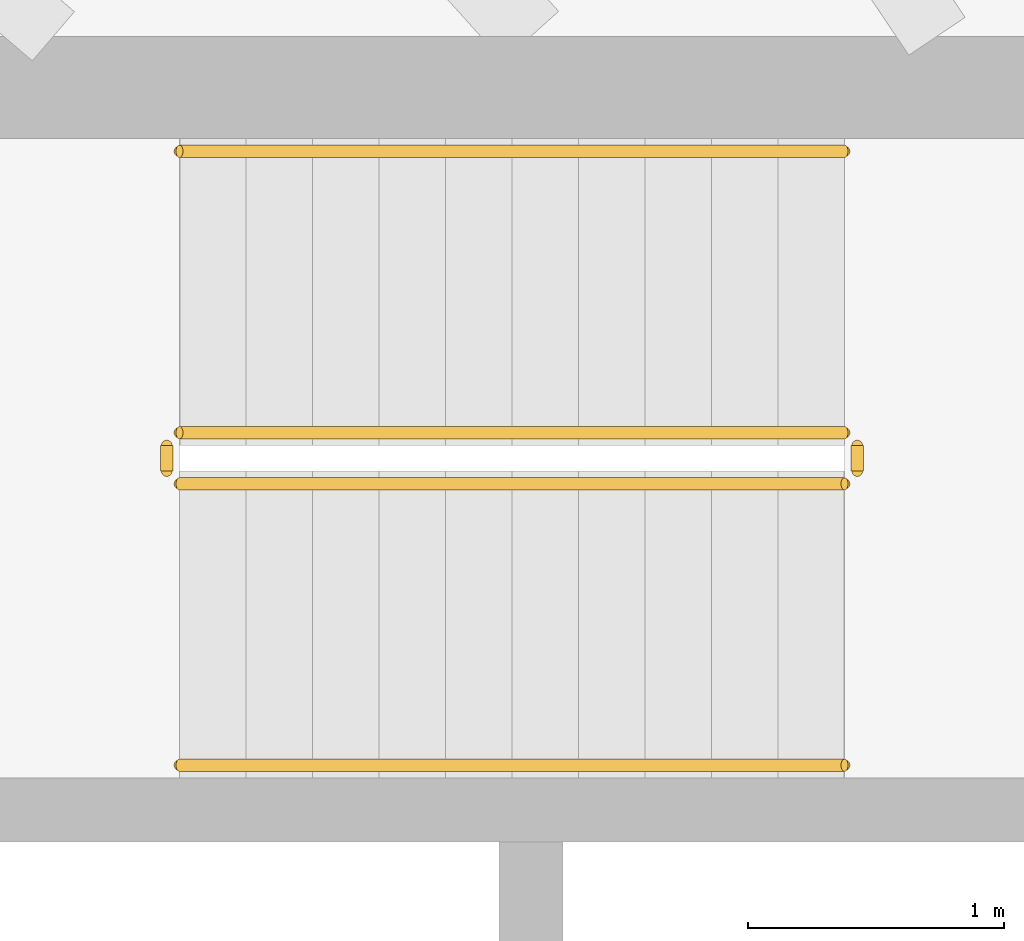
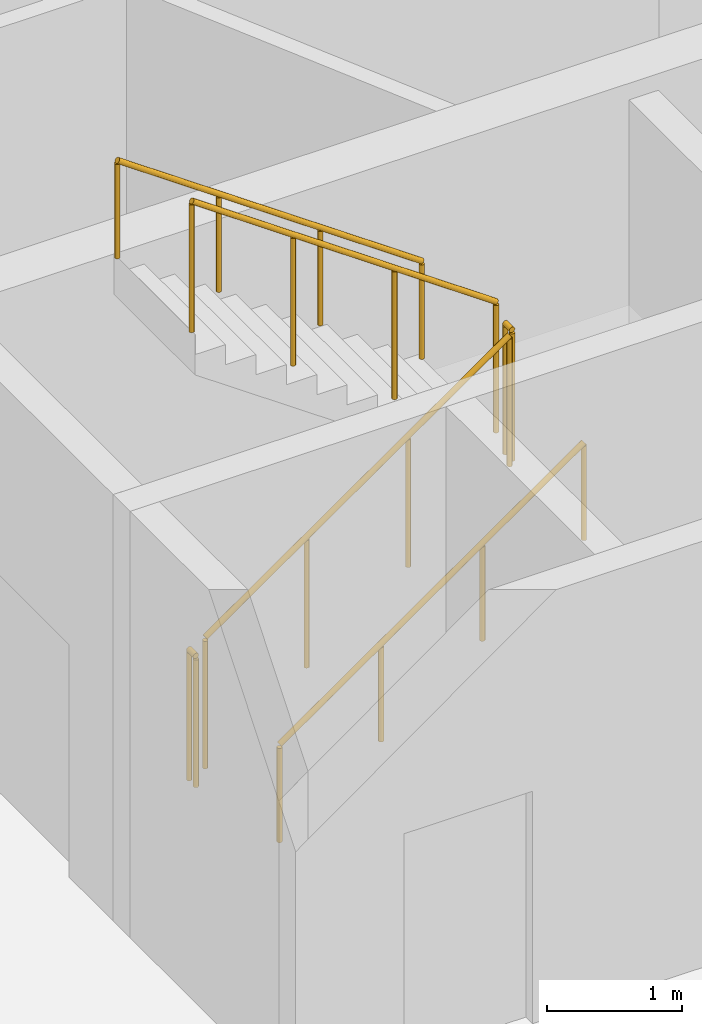
# One storey, part 15 of 18: 6 railings.
"""IFC4 building model written with IfcOpenShell, lengths in metres."""

from ifc_helpers import new_model, si_unit, direction, frame, origin, origin_2d, place, context, subcontext, project, spatial, circle, extrude, material, type_object, element, save


model = new_model("IFC4")

# Units and contexts
model_context = context("Model", 3, precision=1e-05, world=origin(), true_north=direction((0.0, 1.0)))
body_context = subcontext(model_context, "Body", "Model", "MODEL_VIEW")
ifc_project = project(units=[si_unit("LENGTHUNIT", "METRE"), si_unit("AREAUNIT", "SQUARE_METRE"), si_unit("VOLUMEUNIT", "CUBIC_METRE"), si_unit("PLANEANGLEUNIT", "RADIAN"), si_unit("MASSUNIT", "GRAM", prefix="KILO")], contexts=[model_context])

# Site, building, storey
site_placement = place(None, origin())
site = spatial("IfcSite", under=ifc_project, at=site_placement, CompositionType="ELEMENT")
building_placement = place(site_placement, origin())
building = spatial("IfcBuilding", under=site, at=building_placement, Name="Sahrelin Media Tower", CompositionType="ELEMENT")
storey_placement = place(building_placement, frame((0.0, 0.0, 320.39990234375)))
storey = spatial("IfcBuildingStorey", under=building, at=storey_placement, Name="L71", CompositionType="ELEMENT", Elevation=320.39990234375)

# Railings
ifc_material = material(Name="Steel S355", Category="steel")
railing_type_1 = type_object("IfcRailingType", Name="Stair guard 1200", PredefinedType="GUARDRAIL", material=ifc_material)
railing_1_placement = place(storey_placement, frame((-7.675048828125, 5.25, 0.181884765625)))
element("IfcRailing", 1, at=railing_1_placement, inside=storey, type_object=railing_type_1, Name="L71 ST1 stair guard 1", PredefinedType="GUARDRAIL", context=body_context, shape_type="SweptSolid", body=[
    extrude(circle(Radius=0.02392578125, at=origin_2d()), frame((0.0, 0.0, 1.17578125), z_axis=(0.819521025635, 0.0, 0.573049115296), x_axis=(0.0, 1.0, 0.0)), (0.0, 0.0, 1.0), 3.172607421875),
    extrude(circle(Radius=0.02099609375, at=origin_2d()), origin(), (0.0, 0.0, 1.0), 1.15185546875),
    extrude(circle(Radius=0.02099609375, at=origin_2d()), frame((0.86669921875, 0.0, 0.60595703125)), (0.0, 0.0, 1.0), 1.15185546875),
    extrude(circle(Radius=0.02099609375, at=origin_2d()), frame((1.7333984375, 0.0, 1.212158203125)), (0.0, 0.0, 1.0), 1.15185546875),
    extrude(circle(Radius=0.02099609375, at=origin_2d()), frame((2.60009765625, 0.0, 1.818115234375)), (0.0, 0.0, 1.0), 1.15185546875),
])
railing_2_placement = place(storey_placement, frame((-5.02490234375, 5.300048828125, 2.0)))
element("IfcRailing", 2, at=railing_2_placement, inside=storey, type_object=railing_type_1, Name="L71 ST1 stair guard 2", PredefinedType="GUARDRAIL", context=body_context, shape_type="SweptSolid", body=[
    extrude(circle(Radius=0.02392578125, at=origin_2d()), frame((0.0, 0.0, 1.17578125), z_axis=(0.0, 1.0, 0.0), x_axis=(-1.0, 0.0, 0.0)), (0.0, 0.0, 1.0), 0.099853515625),
    extrude(circle(Radius=0.02099609375, at=origin_2d()), origin(), (0.0, 0.0, 1.0), 1.15185546875),
    extrude(circle(Radius=0.02099609375, at=origin_2d()), frame((0.0, 0.099853515625, 0.0)), (0.0, 0.0, 1.0), 1.15185546875),
])
railing_3_placement = place(storey_placement, frame((-5.074951171875, 5.449951171875, 2.181884765625)))
element("IfcRailing", 3, at=railing_3_placement, inside=storey, type_object=railing_type_1, Name="L71 ST1 stair guard 3", PredefinedType="GUARDRAIL", context=body_context, shape_type="SweptSolid", body=[
    extrude(circle(Radius=0.02392578125, at=origin_2d()), frame((0.0, 0.0, 1.17578125), z_axis=(-0.819521025635, 0.0, 0.573049115296), x_axis=(0.0, -1.0, 0.0)), (0.0, 0.0, 1.0), 3.172607421875),
    extrude(circle(Radius=0.02099609375, at=origin_2d()), origin(), (0.0, 0.0, 1.0), 1.15185546875),
    extrude(circle(Radius=0.02099609375, at=origin_2d()), frame((-0.86669921875, 0.0, 0.60595703125)), (0.0, 0.0, 1.0), 1.15185546875),
    extrude(circle(Radius=0.02099609375, at=origin_2d()), frame((-1.7333984375, 0.0, 1.212158203125)), (0.0, 0.0, 1.0), 1.15185546875),
    extrude(circle(Radius=0.02099609375, at=origin_2d()), frame((-2.60009765625, 0.0, 1.818115234375)), (0.0, 0.0, 1.0), 1.15185546875),
])
railing_4_placement = place(storey_placement, frame((-7.72509765625, 5.300048828125, 0.0)))
element("IfcRailing", 4, at=railing_4_placement, inside=storey, type_object=railing_type_1, Name="L71 ST1 stair guard 4", PredefinedType="GUARDRAIL", context=body_context, shape_type="SweptSolid", body=[
    extrude(circle(Radius=0.02392578125, at=origin_2d()), frame((0.0, 0.0, 1.17578125), z_axis=(0.0, 1.0, 0.0), x_axis=(-1.0, 0.0, 0.0)), (0.0, 0.0, 1.0), 0.099853515625),
    extrude(circle(Radius=0.02099609375, at=origin_2d()), origin(), (0.0, 0.0, 1.0), 1.15185546875),
    extrude(circle(Radius=0.02099609375, at=origin_2d()), frame((0.0, 0.099853515625, 0.0)), (0.0, 0.0, 1.0), 1.15185546875),
])
railing_type_2 = type_object("IfcRailingType", Name="Stair handrail 900", PredefinedType="HANDRAIL", material=ifc_material)
railing_5_placement = place(storey_placement, frame((-7.675048828125, 4.14990234375, 0.181884765625)))
element("IfcRailing", 5, at=railing_5_placement, inside=storey, type_object=railing_type_2, Name="L71 ST1 stair handrail 1", PredefinedType="HANDRAIL", context=body_context, shape_type="SweptSolid", body=[
    extrude(circle(Radius=0.02392578125, at=origin_2d()), frame((0.0, 0.0, 0.8759765625), z_axis=(0.819521025635, 0.0, 0.573049115296), x_axis=(0.0, 1.0, 0.0)), (0.0, 0.0, 1.0), 3.172607421875),
    extrude(circle(Radius=0.02099609375, at=origin_2d()), origin(), (0.0, 0.0, 1.0), 0.851806640625),
    extrude(circle(Radius=0.02099609375, at=origin_2d()), frame((0.86669921875, 0.0, 0.60595703125)), (0.0, 0.0, 1.0), 0.851806640625),
    extrude(circle(Radius=0.02099609375, at=origin_2d()), frame((1.7333984375, 0.0, 1.212158203125)), (0.0, 0.0, 1.0), 0.851806640625),
    extrude(circle(Radius=0.02099609375, at=origin_2d()), frame((2.60009765625, 0.0, 1.818115234375)), (0.0, 0.0, 1.0), 0.851806640625),
])
railing_6_placement = place(storey_placement, frame((-5.074951171875, 6.550048828125, 2.181884765625)))
element("IfcRailing", 6, at=railing_6_placement, inside=storey, type_object=railing_type_2, Name="L71 ST1 stair handrail 2", PredefinedType="HANDRAIL", context=body_context, shape_type="SweptSolid", body=[
    extrude(circle(Radius=0.02392578125, at=origin_2d()), frame((0.0, 0.0, 0.8759765625), z_axis=(-0.819521025635, 0.0, 0.573049115296), x_axis=(0.0, -1.0, 0.0)), (0.0, 0.0, 1.0), 3.172607421875),
    extrude(circle(Radius=0.02099609375, at=origin_2d()), origin(), (0.0, 0.0, 1.0), 0.851806640625),
    extrude(circle(Radius=0.02099609375, at=origin_2d()), frame((-0.86669921875, 0.0, 0.60595703125)), (0.0, 0.0, 1.0), 0.851806640625),
    extrude(circle(Radius=0.02099609375, at=origin_2d()), frame((-1.7333984375, 0.0, 1.212158203125)), (0.0, 0.0, 1.0), 0.851806640625),
    extrude(circle(Radius=0.02099609375, at=origin_2d()), frame((-2.60009765625, 0.0, 1.818115234375)), (0.0, 0.0, 1.0), 0.851806640625),
])

save(model, "model.ifc")
